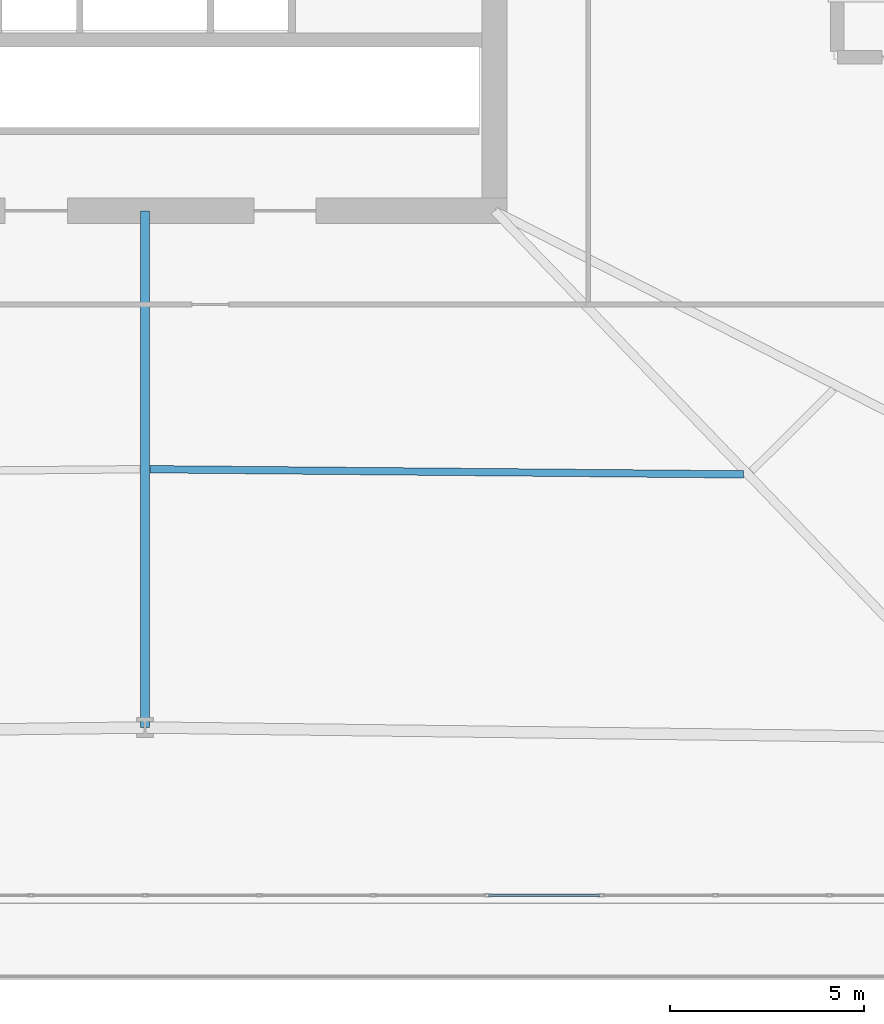
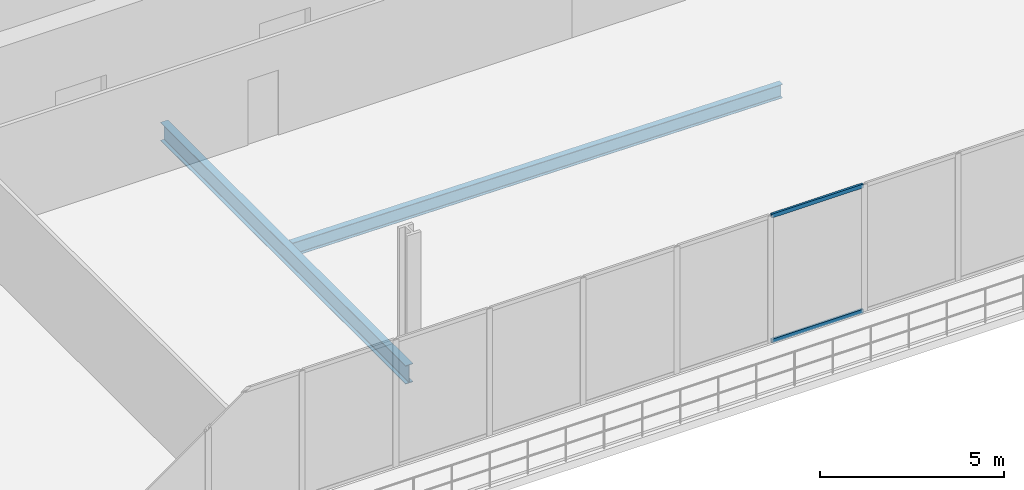
# One storey, part 7 of 31: 2 beams, 2 members, 1 element without a shape of its own.
"""IFC4 building model written with IfcOpenShell, lengths in metres."""

import ifcopenshell
import ifcopenshell.guid

model = None  # the IFC model being written
_history = None  # IfcOwnerHistory: only IFC2X3 demands one
_inside = {}  # id of a spatial element -> (the spatial element, [elements in it])
_under = {}  # id of a project, library or spatial element -> (it, [spatial elements below it])
_declared = {}  # id of a project -> (the project, [libraries it declares])
_typed = {}  # id of a type object -> (the type object, [elements of that type])
_made_of = {}  # id of a material, layer set ... -> (it, [elements and type objects made of it])


def new_model(schema):
    """Start an empty IFC model of exactly this schema.

    Asked for "IFC4X3", IfcOpenShell would pick the latest addendum, in which some entities
    have other attributes; the version numbers below select the first issue.
    IFC2X3 requires an IfcOwnerHistory on every rooted entity: one is made here for all.
    """
    global model, _history
    if schema == "IFC4X3":
        model = ifcopenshell.file(schema_version=(4, 3, 0, 0))
    else:
        model = ifcopenshell.file(schema=schema)
    _inside.clear()
    _under.clear()
    _declared.clear()
    _typed.clear()
    _made_of.clear()
    _history = None
    if model.schema == "IFC2X3":
        org = make("IfcOrganization", Name="unknown")
        user = make(
            "IfcPersonAndOrganization",
            ThePerson=make("IfcPerson", FamilyName="unknown"),
            TheOrganization=org,
        )
        app = make(
            "IfcApplication",
            ApplicationDeveloper=org,
            Version="unknown",
            ApplicationFullName="unknown",
            ApplicationIdentifier="unknown",
        )
        _history = make(
            "IfcOwnerHistory",
            OwningUser=user,
            OwningApplication=app,
            ChangeAction="ADDED",
            CreationDate=0,
        )
    return model


def make(cls, **values):
    """One entity of the class cls with the attributes given. An attribute that is None is left unset."""
    return model.create_entity(
        cls, **{name: value for name, value in values.items() if value is not None}
    )


def rooted(cls, **values):
    """An entity with a GlobalId (a new one), such as an element, a storey or a relation."""
    return make(cls, GlobalId=ifcopenshell.guid.new(), OwnerHistory=_history, **values)


def si_unit(unit_type, name, prefix=None):
    """IfcSIUnit, for example si_unit("LENGTHUNIT", "METRE", prefix="MILLI")."""
    return make("IfcSIUnit", UnitType=unit_type, Prefix=prefix, Name=name)


def assignment(units):
    """IfcUnitAssignment: the units of a project."""
    return None if units is None else make("IfcUnitAssignment", Units=units)


def point(xyz):
    """IfcCartesianPoint."""
    return None if xyz is None else make("IfcCartesianPoint", Coordinates=xyz)


def direction(xyz):
    """IfcDirection."""
    return None if xyz is None else make("IfcDirection", DirectionRatios=xyz)


def frame(location, z_axis=None, x_axis=None):
    """IfcAxis2Placement3D, a coordinate frame: its origin and axes. An axis left out is left unset."""
    return make(
        "IfcAxis2Placement3D",
        Location=point(location),
        Axis=direction(z_axis),
        RefDirection=direction(x_axis),
    )


def frame_2d(location, x_axis=None):
    """IfcAxis2Placement2D, a coordinate frame in the plane: its origin and x axis."""
    return make(
        "IfcAxis2Placement2D", Location=point(location), RefDirection=direction(x_axis)
    )


def origin():
    """The frame at (0, 0, 0) with its axes left unset."""
    return frame((0.0, 0.0, 0.0))


def origin_2d():
    """The frame at (0, 0) in the plane with its x axis left unset."""
    return frame_2d((0.0, 0.0))


def place(relative_to, where):
    """IfcLocalPlacement: puts the frame where relative to a parent placement (None: the world)."""
    return make(
        "IfcLocalPlacement", PlacementRelTo=relative_to, RelativePlacement=where
    )


def context(
    kind, dimensions, precision=None, world=None, true_north=None, identifier=None
):
    """IfcGeometricRepresentationContext, for example the 3D "Model" context."""
    return make(
        "IfcGeometricRepresentationContext",
        ContextIdentifier=identifier,
        ContextType=kind,
        CoordinateSpaceDimension=dimensions,
        Precision=precision,
        WorldCoordinateSystem=world,
        TrueNorth=true_north,
    )


def subcontext(parent, identifier, kind, view, scale=None):
    """IfcGeometricRepresentationSubContext, for example "Body" below "Model"."""
    return make(
        "IfcGeometricRepresentationSubContext",
        ContextIdentifier=identifier,
        ContextType=kind,
        ParentContext=parent,
        TargetScale=scale,
        TargetView=view,
    )


def project(units=None, contexts=None):
    """IfcProject with its units and contexts."""
    return rooted(
        "IfcProject",
        Name="project",
        RepresentationContexts=contexts,
        UnitsInContext=assignment(units),
    )


def spatial(cls, under=None, at=None, **own):
    """A site, building, storey or space (cls), placed at a placement, below another one or the project."""
    s = rooted(cls, ObjectPlacement=at, **own)
    if under is not None:
        _under.setdefault(under.id(), (under, []))[1].append(s)
    return s


def profile(cls, at=None, kind="AREA", **sizes):
    """A parametric profile (cls). Its sizes go by their IFC names, for example OverallWidth=200.0."""
    return make(cls, ProfileType=kind, Position=at, **sizes)


def hollow_rectangle(**sizes):
    """IfcRectangleHollowProfileDef."""
    return profile("IfcRectangleHollowProfileDef", **sizes)


def i_section(**sizes):
    """IfcIShapeProfileDef."""
    return profile("IfcIShapeProfileDef", **sizes)


def extrude(swept, where, along, depth):
    """IfcExtrudedAreaSolid: the profile swept, set in the frame where, extruded along a direction by depth."""
    return make(
        "IfcExtrudedAreaSolid",
        SweptArea=swept,
        Position=where,
        ExtrudedDirection=direction(along),
        Depth=depth,
    )


def shape(context_of_items, identifier, shape_type, items):
    """IfcShapeRepresentation: the items that make up one representation, for example the "Body"."""
    return make(
        "IfcShapeRepresentation",
        ContextOfItems=context_of_items,
        RepresentationIdentifier=identifier,
        RepresentationType=shape_type,
        Items=items,
    )


def material(Name=None, Category=None):
    """IfcMaterial."""
    return make("IfcMaterial", Name=Name, Category=Category)


def layer(
    of_material, thickness, ventilated=None, Name=None, Category=None, Priority=None
):
    """IfcMaterialLayer: one layer of a wall or slab, of a material (None: an air gap)."""
    return make(
        "IfcMaterialLayer",
        Material=of_material,
        LayerThickness=thickness,
        IsVentilated=ventilated,
        Name=Name,
        Category=Category,
        Priority=Priority,
    )


def layer_set(layers, Name=None):
    """IfcMaterialLayerSet."""
    return make("IfcMaterialLayerSet", MaterialLayers=layers, LayerSetName=Name)


def material_profile(
    of_material, cross_section, Name=None, Category=None, Priority=None
):
    """IfcMaterialProfile: a cross section and its material."""
    return make(
        "IfcMaterialProfile",
        Name=Name,
        Material=of_material,
        Profile=cross_section,
        Priority=Priority,
        Category=Category,
    )


def profile_set(profiles, Name=None, composite=None):
    """IfcMaterialProfileSet."""
    return make(
        "IfcMaterialProfileSet",
        Name=Name,
        MaterialProfiles=profiles,
        CompositeProfile=composite,
    )


def made_of(thing, what):
    """Note that an element or type object is made of a material, layer set ...; save() writes the relation."""
    if what is not None:
        _made_of.setdefault(what.id(), (what, []))[1].append(thing)
    return thing


def type_object(cls, material=None, **own):
    """A type object (cls), such as IfcWallType, which elements share."""
    return made_of(rooted(cls, **own), material)


def element(
    cls,
    number,
    at=None,
    inside=None,
    cuts=None,
    type_object=None,
    material=None,
    context=None,
    identifier="Body",
    shape_type=None,
    held_by="IfcProductDefinitionShape",
    body=None,
    shapes=None,
    **own,
):
    """One element of the class cls, such as IfcWall. Its Tag is "e" and its number.

    at: its placement. inside: the storey or other place that contains it. cuts: it is an
    opening in that element (IfcRelVoidsElement). A single representation is given by context,
    identifier, shape_type and body (its items); several are given by shapes. held_by: the class
    of the entity that holds the representations. save() writes the other relations.
    """
    e = rooted(cls, Tag="e%d" % number, ObjectPlacement=at, **own)
    if body is not None:
        shapes = [shape(context, identifier, shape_type, body)]
    if shapes is not None:
        e.Representation = make(held_by, Representations=shapes)
    if inside is not None:
        _inside.setdefault(inside.id(), (inside, []))[1].append(e)
    if cuts is not None:
        rooted(
            "IfcRelVoidsElement", RelatingBuildingElement=cuts, RelatedOpeningElement=e
        )
    if type_object is not None:
        _typed.setdefault(type_object.id(), (type_object, []))[1].append(e)
    return made_of(e, material)


def aggregate(whole, parts):
    """IfcRelAggregates: a whole, such as a stair, and the parts it consists of."""
    return rooted("IfcRelAggregates", RelatingObject=whole, RelatedObjects=parts)


def save(model, path):
    """Write the relations noted so far, then the file.

    IfcRelAggregates (storeys below a building ...), IfcRelContainedInSpatialStructure (elements
    in a storey), IfcRelDefinesByType, IfcRelAssociatesMaterial and IfcRelDeclares: one each for
    every whole, place, type object, material and project.
    """
    for whole, parts in _under.values():
        aggregate(whole, parts)
    for where, things in _inside.values():
        rooted(
            "IfcRelContainedInSpatialStructure",
            RelatedElements=things,
            RelatingStructure=where,
        )
    for kind, things in _typed.values():
        rooted("IfcRelDefinesByType", RelatedObjects=things, RelatingType=kind)
    for what, things in _made_of.values():
        rooted("IfcRelAssociatesMaterial", RelatedObjects=things, RelatingMaterial=what)
    for by, libraries in _declared.values():
        rooted("IfcRelDeclares", RelatingContext=by, RelatedDefinitions=libraries)
    model.write(path)


model = new_model("IFC4")

# Units and contexts
model_context = context("Model", 3, precision=1e-05, world=origin(), true_north=direction((0.0, 1.0)))
body_context = subcontext(model_context, "Body", "Model", "MODEL_VIEW")
ifc_project = project(units=[si_unit("LENGTHUNIT", "METRE"), si_unit("AREAUNIT", "SQUARE_METRE"), si_unit("VOLUMEUNIT", "CUBIC_METRE"), si_unit("PLANEANGLEUNIT", "RADIAN"), si_unit("MASSUNIT", "GRAM", prefix="KILO")], contexts=[model_context])

# Site, building, storey
site_placement = place(None, origin())
site = spatial("IfcSite", under=ifc_project, at=site_placement, CompositionType="ELEMENT")
building_placement = place(site_placement, origin())
building = spatial("IfcBuilding", under=site, at=building_placement, Name="Caelvoria Tower", CompositionType="ELEMENT")
storey_placement = place(building_placement, frame((0.0, 0.0, 9.5)))
storey = spatial("IfcBuildingStorey", under=building, at=storey_placement, Name="L02", CompositionType="ELEMENT", Elevation=9.5)

# Curtain wall, members
ifc_material_1 = material(Name="Anodised Bronze Aluminium and Low-E Glass", Category="aluminium")
ifc_layer = layer(ifc_material_1, 0.199951171875, Name="Anodised Bronze Aluminium and Low-E Glass")
ifc_layer_set = layer_set([ifc_layer], Name="CW System 1 Podium Arcade Unitised Glazing - Anodised Bronze Aluminium and Low-E Glass")
curtain_wall_type = type_object("IfcCurtainWallType", Name="CW System 1 Podium Arcade Unitised Glazing", PredefinedType="NOTDEFINED", material=ifc_layer_set)
curtain_wall_placement = place(storey_placement, origin())
curtain_wall = element("IfcCurtainWall", 1, at=curtain_wall_placement, inside=storey, type_object=curtain_wall_type, Name="CW-01 Curtain Wall L02-E0", PredefinedType="NOTDEFINED")
ifc_material_2 = material(Name="Anodised Bronze Architectural Aluminium", Category="aluminium")
ifc_material_profile_1 = material_profile(ifc_material_2, hollow_rectangle(XDim=0.06494140625, YDim=0.1298828125, WallThickness=0.00341796875, at=origin_2d()), Name="Anodised Bronze Architectural Aluminium")
ifc_profile_set_1 = profile_set([ifc_material_profile_1], Name="CW_TRAN_65X130 - Anodised Bronze Architectural Aluminium")
member_type = type_object("IfcMemberType", Name="Curtain Wall Transom 65x130 Bronze Aluminium", PredefinedType="USERDEFINED", material=ifc_profile_set_1)
member_1_placement = place(storey_placement, frame((54.843994140625, 6.3798828125, 0.032470703125), z_axis=(1.0, 0.0, 0.0), x_axis=(0.0, 1.0, 0.0)))
member_1 = element("IfcMember", 2, at=member_1_placement, type_object=member_type, Name="CW-01 transom 15.1", ObjectType="TRANSOM", PredefinedType="USERDEFINED", context=body_context, shape_type="SweptSolid", body=[
    extrude(hollow_rectangle(XDim=0.06494140625, YDim=0.1298828125, WallThickness=0.00341796875, at=origin_2d()), origin(), (0.0, 0.0, 1.0), 2.866455078125),
])
member_2_placement = place(storey_placement, frame((54.843994140625, 6.3798828125, 4.177490234375), z_axis=(1.0, 0.0, 0.0), x_axis=(0.0, 1.0, 0.0)))
member_2 = element("IfcMember", 3, at=member_2_placement, type_object=member_type, Name="CW-01 transom 15.2", ObjectType="TRANSOM", PredefinedType="USERDEFINED", context=body_context, shape_type="SweptSolid", body=[
    extrude(hollow_rectangle(XDim=0.06494140625, YDim=0.1298828125, WallThickness=0.00341796875, at=origin_2d()), origin(), (0.0, 0.0, 1.0), 2.866455078125),
])
aggregate(curtain_wall, [member_1, member_2])

# Beams
ifc_material_3 = material(Name="Structural Steel ASTM A992 Gr.50", Category="steel")
ifc_material_profile_2 = material_profile(ifc_material_3, i_section(OverallWidth=0.22900390625, OverallDepth=0.612060546875, WebThickness=0.011962890625, FlangeThickness=0.01953125, FilletRadius=0.01806640625, at=origin_2d()), Name="Structural Steel ASTM A992 Gr.50")
ifc_profile_set_2 = profile_set([ifc_material_profile_2], Name="W610X125 - Structural Steel ASTM A992 Gr.50")
beam_type_1 = type_object("IfcBeamType", Name="Primary Radial Floor Girder W610X125", PredefinedType="BEAM", material=ifc_profile_set_2)
beam_1_placement = place(storey_placement, frame((46.0, 24.0, -0.5859375), z_axis=(0.0, -1.0, 0.0), x_axis=(1.0, 0.0, 0.0)))
element("IfcBeam", 4, at=beam_1_placement, inside=storey, type_object=beam_type_1, Name="Primary Floor Girder L02-01", PredefinedType="BEAM", context=body_context, shape_type="SweptSolid", body=[
    extrude(i_section(OverallWidth=0.22900390625, OverallDepth=0.612060546875, WebThickness=0.011962890625, FlangeThickness=0.01953125, FilletRadius=0.01806640625, at=origin_2d()), origin(), (0.0, 0.0, 1.0), 13.300048828125),
])
ifc_material_profile_3 = material_profile(ifc_material_3, i_section(OverallWidth=0.18994140625, OverallDepth=0.45703125, WebThickness=0.009033203125, FlangeThickness=0.014404296875, FilletRadius=0.014892578125, at=origin_2d()), Name="Structural Steel ASTM A992 Gr.50")
ifc_profile_set_3 = profile_set([ifc_material_profile_3], Name="W460X74 - Structural Steel ASTM A992 Gr.50")
beam_type_2 = type_object("IfcBeamType", Name="Secondary Floor Beam W460X74", PredefinedType="BEAM", material=ifc_profile_set_3)
beam_2_placement = place(storey_placement, frame((46.125, 17.348876953125, -0.508544921875), z_axis=(0.9999620801, -0.00870852243, 0.0), x_axis=(0.00870852243, 0.9999620801, 0.0)))
element("IfcBeam", 5, at=beam_2_placement, inside=storey, type_object=beam_type_2, Name="Secondary Floor Beam L02-01", PredefinedType="BEAM", context=body_context, shape_type="SweptSolid", body=[
    extrude(i_section(OverallWidth=0.18994140625, OverallDepth=0.45703125, WebThickness=0.009033203125, FlangeThickness=0.014404296875, FilletRadius=0.014892578125, at=origin_2d()), origin(), (0.0, 0.0, 1.0), 15.27880859375),
])

save(model, "model.ifc")
